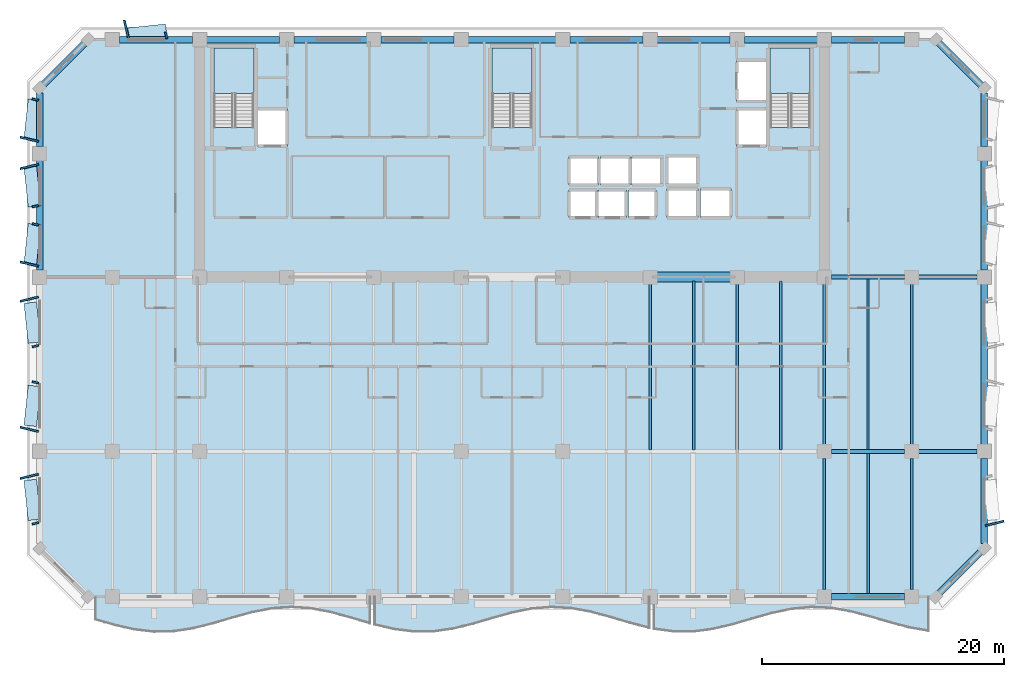
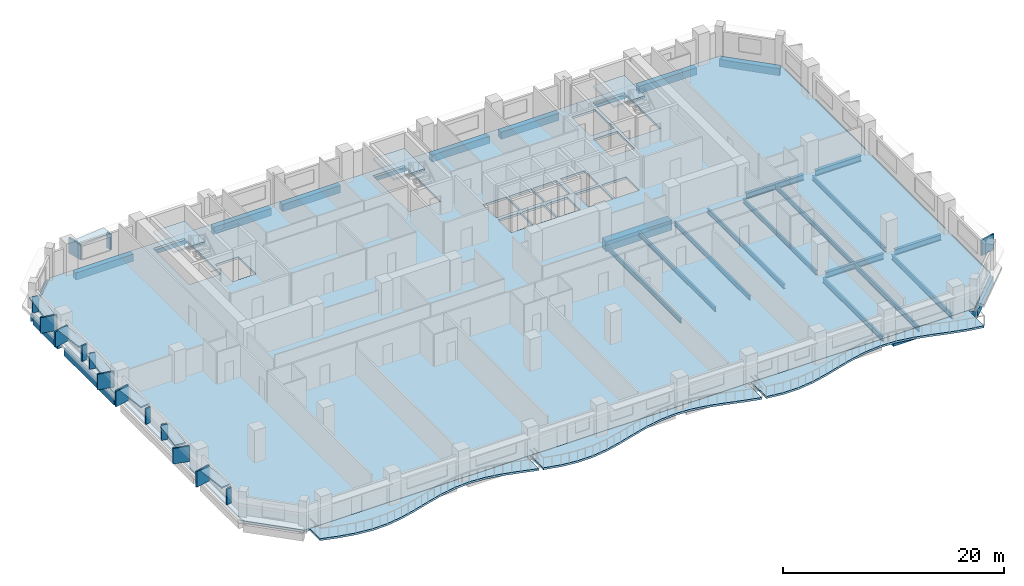
# One storey, part 2 of 14: 34 beams, 22 plates, 7 slabs, 3 elements without a shape of their own.
"""IFC4 building model written with IfcOpenShell, lengths in metres."""

import ifcopenshell
import ifcopenshell.guid

model = None  # the IFC model being written
_history = None  # IfcOwnerHistory: only IFC2X3 demands one
_inside = {}  # id of a spatial element -> (the spatial element, [elements in it])
_under = {}  # id of a project, library or spatial element -> (it, [spatial elements below it])
_declared = {}  # id of a project -> (the project, [libraries it declares])
_typed = {}  # id of a type object -> (the type object, [elements of that type])
_made_of = {}  # id of a material, layer set ... -> (it, [elements and type objects made of it])


def new_model(schema):
    """Start an empty IFC model of exactly this schema.

    Asked for "IFC4X3", IfcOpenShell would pick the latest addendum, in which some entities
    have other attributes; the version numbers below select the first issue.
    IFC2X3 requires an IfcOwnerHistory on every rooted entity: one is made here for all.
    """
    global model, _history
    if schema == "IFC4X3":
        model = ifcopenshell.file(schema_version=(4, 3, 0, 0))
    else:
        model = ifcopenshell.file(schema=schema)
    _inside.clear()
    _under.clear()
    _declared.clear()
    _typed.clear()
    _made_of.clear()
    _history = None
    if model.schema == "IFC2X3":
        org = make("IfcOrganization", Name="unknown")
        user = make(
            "IfcPersonAndOrganization",
            ThePerson=make("IfcPerson", FamilyName="unknown"),
            TheOrganization=org,
        )
        app = make(
            "IfcApplication",
            ApplicationDeveloper=org,
            Version="unknown",
            ApplicationFullName="unknown",
            ApplicationIdentifier="unknown",
        )
        _history = make(
            "IfcOwnerHistory",
            OwningUser=user,
            OwningApplication=app,
            ChangeAction="ADDED",
            CreationDate=0,
        )
    return model


def make(cls, **values):
    """One entity of the class cls with the attributes given. An attribute that is None is left unset."""
    return model.create_entity(
        cls, **{name: value for name, value in values.items() if value is not None}
    )


def rooted(cls, **values):
    """An entity with a GlobalId (a new one), such as an element, a storey or a relation."""
    return make(cls, GlobalId=ifcopenshell.guid.new(), OwnerHistory=_history, **values)


def si_unit(unit_type, name, prefix=None):
    """IfcSIUnit, for example si_unit("LENGTHUNIT", "METRE", prefix="MILLI")."""
    return make("IfcSIUnit", UnitType=unit_type, Prefix=prefix, Name=name)


def assignment(units):
    """IfcUnitAssignment: the units of a project."""
    return None if units is None else make("IfcUnitAssignment", Units=units)


def point(xyz):
    """IfcCartesianPoint."""
    return None if xyz is None else make("IfcCartesianPoint", Coordinates=xyz)


def direction(xyz):
    """IfcDirection."""
    return None if xyz is None else make("IfcDirection", DirectionRatios=xyz)


def frame(location, z_axis=None, x_axis=None):
    """IfcAxis2Placement3D, a coordinate frame: its origin and axes. An axis left out is left unset."""
    return make(
        "IfcAxis2Placement3D",
        Location=point(location),
        Axis=direction(z_axis),
        RefDirection=direction(x_axis),
    )


def frame_2d(location, x_axis=None):
    """IfcAxis2Placement2D, a coordinate frame in the plane: its origin and x axis."""
    return make(
        "IfcAxis2Placement2D", Location=point(location), RefDirection=direction(x_axis)
    )


def origin():
    """The frame at (0, 0, 0) with its axes left unset."""
    return frame((0.0, 0.0, 0.0))


def origin_2d():
    """The frame at (0, 0) in the plane with its x axis left unset."""
    return frame_2d((0.0, 0.0))


def place(relative_to, where):
    """IfcLocalPlacement: puts the frame where relative to a parent placement (None: the world)."""
    return make(
        "IfcLocalPlacement", PlacementRelTo=relative_to, RelativePlacement=where
    )


def context(
    kind, dimensions, precision=None, world=None, true_north=None, identifier=None
):
    """IfcGeometricRepresentationContext, for example the 3D "Model" context."""
    return make(
        "IfcGeometricRepresentationContext",
        ContextIdentifier=identifier,
        ContextType=kind,
        CoordinateSpaceDimension=dimensions,
        Precision=precision,
        WorldCoordinateSystem=world,
        TrueNorth=true_north,
    )


def subcontext(parent, identifier, kind, view, scale=None):
    """IfcGeometricRepresentationSubContext, for example "Body" below "Model"."""
    return make(
        "IfcGeometricRepresentationSubContext",
        ContextIdentifier=identifier,
        ContextType=kind,
        ParentContext=parent,
        TargetScale=scale,
        TargetView=view,
    )


def project(units=None, contexts=None):
    """IfcProject with its units and contexts."""
    return rooted(
        "IfcProject",
        Name="project",
        RepresentationContexts=contexts,
        UnitsInContext=assignment(units),
    )


def spatial(cls, under=None, at=None, **own):
    """A site, building, storey or space (cls), placed at a placement, below another one or the project."""
    s = rooted(cls, ObjectPlacement=at, **own)
    if under is not None:
        _under.setdefault(under.id(), (under, []))[1].append(s)
    return s


def polyline(points):
    """IfcPolyline through the points."""
    return make("IfcPolyline", Points=[point(p) for p in points])


def profile(cls, at=None, kind="AREA", **sizes):
    """A parametric profile (cls). Its sizes go by their IFC names, for example OverallWidth=200.0."""
    return make(cls, ProfileType=kind, Position=at, **sizes)


def rectangle(**sizes):
    """IfcRectangleProfileDef."""
    return profile("IfcRectangleProfileDef", **sizes)


def i_section(**sizes):
    """IfcIShapeProfileDef."""
    return profile("IfcIShapeProfileDef", **sizes)


def outline(outer, holes=None, kind="AREA"):
    """IfcArbitraryClosedProfileDef: a profile drawn as a closed curve; with holes, ...WithVoids."""
    if holes is None:
        return make("IfcArbitraryClosedProfileDef", ProfileType=kind, OuterCurve=outer)
    return make(
        "IfcArbitraryProfileDefWithVoids",
        ProfileType=kind,
        OuterCurve=outer,
        InnerCurves=holes,
    )


def extrude(swept, where, along, depth):
    """IfcExtrudedAreaSolid: the profile swept, set in the frame where, extruded along a direction by depth."""
    return make(
        "IfcExtrudedAreaSolid",
        SweptArea=swept,
        Position=where,
        ExtrudedDirection=direction(along),
        Depth=depth,
    )


def shape(context_of_items, identifier, shape_type, items):
    """IfcShapeRepresentation: the items that make up one representation, for example the "Body"."""
    return make(
        "IfcShapeRepresentation",
        ContextOfItems=context_of_items,
        RepresentationIdentifier=identifier,
        RepresentationType=shape_type,
        Items=items,
    )


def material(Name=None, Category=None):
    """IfcMaterial."""
    return make("IfcMaterial", Name=Name, Category=Category)


def layer(
    of_material, thickness, ventilated=None, Name=None, Category=None, Priority=None
):
    """IfcMaterialLayer: one layer of a wall or slab, of a material (None: an air gap)."""
    return make(
        "IfcMaterialLayer",
        Material=of_material,
        LayerThickness=thickness,
        IsVentilated=ventilated,
        Name=Name,
        Category=Category,
        Priority=Priority,
    )


def layer_set(layers, Name=None):
    """IfcMaterialLayerSet."""
    return make("IfcMaterialLayerSet", MaterialLayers=layers, LayerSetName=Name)


def material_profile(
    of_material, cross_section, Name=None, Category=None, Priority=None
):
    """IfcMaterialProfile: a cross section and its material."""
    return make(
        "IfcMaterialProfile",
        Name=Name,
        Material=of_material,
        Profile=cross_section,
        Priority=Priority,
        Category=Category,
    )


def profile_set(profiles, Name=None, composite=None):
    """IfcMaterialProfileSet."""
    return make(
        "IfcMaterialProfileSet",
        Name=Name,
        MaterialProfiles=profiles,
        CompositeProfile=composite,
    )


def made_of(thing, what):
    """Note that an element or type object is made of a material, layer set ...; save() writes the relation."""
    if what is not None:
        _made_of.setdefault(what.id(), (what, []))[1].append(thing)
    return thing


def type_object(cls, material=None, **own):
    """A type object (cls), such as IfcWallType, which elements share."""
    return made_of(rooted(cls, **own), material)


def element(
    cls,
    number,
    at=None,
    inside=None,
    cuts=None,
    type_object=None,
    material=None,
    context=None,
    identifier="Body",
    shape_type=None,
    held_by="IfcProductDefinitionShape",
    body=None,
    shapes=None,
    **own,
):
    """One element of the class cls, such as IfcWall. Its Tag is "e" and its number.

    at: its placement. inside: the storey or other place that contains it. cuts: it is an
    opening in that element (IfcRelVoidsElement). A single representation is given by context,
    identifier, shape_type and body (its items); several are given by shapes. held_by: the class
    of the entity that holds the representations. save() writes the other relations.
    """
    e = rooted(cls, Tag="e%d" % number, ObjectPlacement=at, **own)
    if body is not None:
        shapes = [shape(context, identifier, shape_type, body)]
    if shapes is not None:
        e.Representation = make(held_by, Representations=shapes)
    if inside is not None:
        _inside.setdefault(inside.id(), (inside, []))[1].append(e)
    if cuts is not None:
        rooted(
            "IfcRelVoidsElement", RelatingBuildingElement=cuts, RelatedOpeningElement=e
        )
    if type_object is not None:
        _typed.setdefault(type_object.id(), (type_object, []))[1].append(e)
    return made_of(e, material)


def aggregate(whole, parts):
    """IfcRelAggregates: a whole, such as a stair, and the parts it consists of."""
    return rooted("IfcRelAggregates", RelatingObject=whole, RelatedObjects=parts)


def save(model, path):
    """Write the relations noted so far, then the file.

    IfcRelAggregates (storeys below a building ...), IfcRelContainedInSpatialStructure (elements
    in a storey), IfcRelDefinesByType, IfcRelAssociatesMaterial and IfcRelDeclares: one each for
    every whole, place, type object, material and project.
    """
    for whole, parts in _under.values():
        aggregate(whole, parts)
    for where, things in _inside.values():
        rooted(
            "IfcRelContainedInSpatialStructure",
            RelatedElements=things,
            RelatingStructure=where,
        )
    for kind, things in _typed.values():
        rooted("IfcRelDefinesByType", RelatedObjects=things, RelatingType=kind)
    for what, things in _made_of.values():
        rooted("IfcRelAssociatesMaterial", RelatedObjects=things, RelatingMaterial=what)
    for by, libraries in _declared.values():
        rooted("IfcRelDeclares", RelatingContext=by, RelatedDefinitions=libraries)
    model.write(path)


model = new_model("IFC4")

# Units and contexts
model_context = context("Model", 3, precision=1e-05, world=origin(), true_north=direction((0.0, 1.0)))
body_context = subcontext(model_context, "Body", "Model", "MODEL_VIEW")
ifc_project = project(units=[si_unit("LENGTHUNIT", "METRE"), si_unit("AREAUNIT", "SQUARE_METRE"), si_unit("VOLUMEUNIT", "CUBIC_METRE"), si_unit("PLANEANGLEUNIT", "RADIAN"), si_unit("MASSUNIT", "GRAM", prefix="KILO")], contexts=[model_context])

# Site, building, storey
site_placement = place(None, origin())
site = spatial("IfcSite", under=ifc_project, at=site_placement, CompositionType="ELEMENT")
building_placement = place(site_placement, origin())
building = spatial("IfcBuilding", under=site, at=building_placement, Name="Kaelvorn Grand Hotel", CompositionType="ELEMENT")
storey_placement = place(building_placement, frame((0.0, 0.0, 197.75)))
storey = spatial("IfcBuildingStorey", under=building, at=storey_placement, Name="L48", CompositionType="ELEMENT", Elevation=197.75)

# Beams
ifc_material_1 = material(Name="Steel S355", Category="steel")
ifc_material_profile_1 = material_profile(ifc_material_1, i_section(OverallWidth=0.300048828125, OverallDepth=0.64990234375, WebThickness=0.01611328125, FlangeThickness=0.031005859375, FilletRadius=0.027099609375, at=origin_2d()), Name="HEB 650")
ifc_profile_set_1 = profile_set([ifc_material_profile_1], Name="Steel S355")
beam_type_1 = type_object("IfcBeamType", Name="BM-G-HEB650-S355", PredefinedType="BEAM", material=ifc_profile_set_1)
beam_1_placement = place(storey_placement, frame((68.385009765625, 15.0, -0.56494140625), z_axis=(1.0, 0.0, 0.0), x_axis=(0.0, 1.0, 0.0)))
element("IfcBeam", 1, at=beam_1_placement, inside=storey, type_object=beam_type_1, Name="L48 Primary Spine Steel Girder G-15 06", PredefinedType="BEAM", context=body_context, shape_type="SweptSolid", body=[
    extrude(i_section(OverallWidth=0.300048828125, OverallDepth=0.64990234375, WebThickness=0.01611328125, FlangeThickness=0.031005859375, FilletRadius=0.027099609375, at=origin_2d()), origin(), (0.0, 0.0, 1.0), 6.030029296875),
])
beam_2_placement = place(storey_placement, frame((75.5849609375, 15.0, -0.56494140625), z_axis=(1.0, 0.0, 0.0), x_axis=(0.0, 1.0, 0.0)))
element("IfcBeam", 2, at=beam_2_placement, inside=storey, type_object=beam_type_1, Name="L48 Primary Spine Steel Girder G-15 07", PredefinedType="BEAM", context=body_context, shape_type="SweptSolid", body=[
    extrude(i_section(OverallWidth=0.300048828125, OverallDepth=0.64990234375, WebThickness=0.01611328125, FlangeThickness=0.031005859375, FilletRadius=0.027099609375, at=origin_2d()), origin(), (0.0, 0.0, 1.0), 4.830078125),
])
beam_3_placement = place(storey_placement, frame((68.385009765625, 29.39990234375, -0.56494140625), z_axis=(1.0, 0.0, 0.0), x_axis=(0.0, 1.0, 0.0)))
element("IfcBeam", 3, at=beam_3_placement, inside=storey, type_object=beam_type_1, Name="L48 East Core Wing Steel Girder G-29E 01", PredefinedType="BEAM", context=body_context, shape_type="SweptSolid", body=[
    extrude(i_section(OverallWidth=0.300048828125, OverallDepth=0.64990234375, WebThickness=0.01611328125, FlangeThickness=0.031005859375, FilletRadius=0.027099609375, at=origin_2d()), origin(), (0.0, 0.0, 1.0), 6.030029296875),
])
beam_4_placement = place(storey_placement, frame((75.5849609375, 29.39990234375, -0.56494140625), z_axis=(1.0, 0.0, 0.0), x_axis=(0.0, 1.0, 0.0)))
element("IfcBeam", 4, at=beam_4_placement, inside=storey, type_object=beam_type_1, Name="L48 East Core Wing Steel Girder G-29E 02", PredefinedType="BEAM", context=body_context, shape_type="SweptSolid", body=[
    extrude(i_section(OverallWidth=0.300048828125, OverallDepth=0.64990234375, WebThickness=0.01611328125, FlangeThickness=0.031005859375, FilletRadius=0.027099609375, at=origin_2d()), origin(), (0.0, 0.0, 1.0), 4.830078125),
])
ifc_material_profile_2 = material_profile(ifc_material_1, i_section(OverallWidth=0.199951171875, OverallDepth=0.5, WebThickness=0.01025390625, FlangeThickness=0.01611328125, FilletRadius=0.02099609375, at=origin_2d()), Name="IPE 500")
ifc_profile_set_2 = profile_set([ifc_material_profile_2], Name="Steel S355")
beam_type_2 = type_object("IfcBeamType", Name="BM-J-IPE500-S355", PredefinedType="JOIST", material=ifc_profile_set_2)
beam_5_placement = place(storey_placement, frame((53.39990234375, 15.135009765625, -0.489990234375), z_axis=(0.0, 1.0, 0.0), x_axis=(-1.0, 0.0, 0.0)))
element("IfcBeam", 5, at=beam_5_placement, inside=storey, type_object=beam_type_2, Name="L48 Composite Floor Joist JM-15", PredefinedType="JOIST", context=body_context, shape_type="SweptSolid", body=[
    extrude(i_section(OverallWidth=0.199951171875, OverallDepth=0.5, WebThickness=0.01025390625, FlangeThickness=0.01611328125, FilletRadius=0.02099609375, at=origin_2d()), origin(), (0.0, 0.0, 1.0), 13.679931640625),
])
beam_6_placement = place(storey_placement, frame((57.0, 15.135009765625, -0.489990234375), z_axis=(0.0, 1.0, 0.0), x_axis=(-1.0, 0.0, 0.0)))
element("IfcBeam", 6, at=beam_6_placement, inside=storey, type_object=beam_type_2, Name="L48 Composite Floor Joist JM-16", PredefinedType="JOIST", context=body_context, shape_type="SweptSolid", body=[
    extrude(i_section(OverallWidth=0.199951171875, OverallDepth=0.5, WebThickness=0.01025390625, FlangeThickness=0.01611328125, FilletRadius=0.02099609375, at=origin_2d()), origin(), (0.0, 0.0, 1.0), 13.925048828125),
])
beam_7_placement = place(storey_placement, frame((60.60009765625, 15.135009765625, -0.489990234375), z_axis=(0.0, 1.0, 0.0), x_axis=(-1.0, 0.0, 0.0)))
element("IfcBeam", 7, at=beam_7_placement, inside=storey, type_object=beam_type_2, Name="L48 Composite Floor Joist JM-17", PredefinedType="JOIST", context=body_context, shape_type="SweptSolid", body=[
    extrude(i_section(OverallWidth=0.199951171875, OverallDepth=0.5, WebThickness=0.01025390625, FlangeThickness=0.01611328125, FilletRadius=0.02099609375, at=origin_2d()), origin(), (0.0, 0.0, 1.0), 13.679931640625),
])
beam_8_placement = place(storey_placement, frame((64.199951171875, 15.135009765625, -0.489990234375), z_axis=(0.0, 1.0, 0.0), x_axis=(-1.0, 0.0, 0.0)))
element("IfcBeam", 8, at=beam_8_placement, inside=storey, type_object=beam_type_2, Name="L48 Composite Floor Joist JM-18", PredefinedType="JOIST", context=body_context, shape_type="SweptSolid", body=[
    extrude(i_section(OverallWidth=0.199951171875, OverallDepth=0.5, WebThickness=0.01025390625, FlangeThickness=0.01611328125, FilletRadius=0.02099609375, at=origin_2d()), origin(), (0.0, 0.0, 1.0), 13.925048828125),
])
beam_9_placement = place(storey_placement, frame((67.800048828125, 15.5849609375, -0.489990234375), z_axis=(0.0, 1.0, 0.0), x_axis=(-1.0, 0.0, 0.0)))
element("IfcBeam", 9, at=beam_9_placement, inside=storey, type_object=beam_type_2, Name="L48 Composite Floor Joist JM-19", PredefinedType="JOIST", context=body_context, shape_type="SweptSolid", body=[
    extrude(i_section(OverallWidth=0.199951171875, OverallDepth=0.5, WebThickness=0.01025390625, FlangeThickness=0.01611328125, FilletRadius=0.02099609375, at=origin_2d()), origin(), (0.0, 0.0, 1.0), 13.22998046875),
])
beam_10_placement = place(storey_placement, frame((71.39990234375, 15.135009765625, -0.489990234375), z_axis=(0.0, 1.0, 0.0), x_axis=(-1.0, 0.0, 0.0)))
element("IfcBeam", 10, at=beam_10_placement, inside=storey, type_object=beam_type_2, Name="L48 Composite Floor Joist JM-20", PredefinedType="JOIST", context=body_context, shape_type="SweptSolid", body=[
    extrude(i_section(OverallWidth=0.199951171875, OverallDepth=0.5, WebThickness=0.01025390625, FlangeThickness=0.01611328125, FilletRadius=0.02099609375, at=origin_2d()), origin(), (0.0, 0.0, 1.0), 14.1298828125),
])
beam_11_placement = place(storey_placement, frame((75.0, 15.5849609375, -0.489990234375), z_axis=(0.0, 1.0, 0.0), x_axis=(-1.0, 0.0, 0.0)))
element("IfcBeam", 11, at=beam_11_placement, inside=storey, type_object=beam_type_2, Name="L48 Composite Floor Joist JM-21", PredefinedType="JOIST", context=body_context, shape_type="SweptSolid", body=[
    extrude(i_section(OverallWidth=0.199951171875, OverallDepth=0.5, WebThickness=0.01025390625, FlangeThickness=0.01611328125, FilletRadius=0.02099609375, at=origin_2d()), origin(), (0.0, 0.0, 1.0), 13.22998046875),
])
ifc_material_profile_3 = material_profile(ifc_material_1, i_section(OverallWidth=0.2099609375, OverallDepth=0.550048828125, WebThickness=0.010986328125, FlangeThickness=0.01708984375, FilletRadius=0.02392578125, at=origin_2d()), Name="IPE 550")
ifc_profile_set_3 = profile_set([ifc_material_profile_3], Name="Steel S355")
beam_type_3 = type_object("IfcBeamType", Name="BM-J-IPE550-S355", PredefinedType="JOIST", material=ifc_profile_set_3)
beam_12_placement = place(storey_placement, frame((67.800048828125, 3.5849609375, -0.514892578125), z_axis=(0.0, 1.0, 0.0), x_axis=(-1.0, 0.0, 0.0)))
element("IfcBeam", 12, at=beam_12_placement, inside=storey, type_object=beam_type_3, Name="L48 Composite Floor Joist JS-19", PredefinedType="JOIST", context=body_context, shape_type="SweptSolid", body=[
    extrude(i_section(OverallWidth=0.2099609375, OverallDepth=0.550048828125, WebThickness=0.010986328125, FlangeThickness=0.01708984375, FilletRadius=0.02392578125, at=origin_2d()), origin(), (0.0, 0.0, 1.0), 10.830078125),
])
beam_13_placement = place(storey_placement, frame((71.39990234375, 3.260009765625, -0.514892578125), z_axis=(0.0, 1.0, 0.0), x_axis=(-1.0, 0.0, 0.0)))
element("IfcBeam", 13, at=beam_13_placement, inside=storey, type_object=beam_type_3, Name="L48 Composite Floor Joist JS-20", PredefinedType="JOIST", context=body_context, shape_type="SweptSolid", body=[
    extrude(i_section(OverallWidth=0.2099609375, OverallDepth=0.550048828125, WebThickness=0.010986328125, FlangeThickness=0.01708984375, FilletRadius=0.02392578125, at=origin_2d()), origin(), (0.0, 0.0, 1.0), 11.60498046875),
])
beam_14_placement = place(storey_placement, frame((75.0, 3.5849609375, -0.514892578125), z_axis=(0.0, 1.0, 0.0), x_axis=(-1.0, 0.0, 0.0)))
element("IfcBeam", 14, at=beam_14_placement, inside=storey, type_object=beam_type_3, Name="L48 Composite Floor Joist JS-21", PredefinedType="JOIST", context=body_context, shape_type="SweptSolid", body=[
    extrude(i_section(OverallWidth=0.2099609375, OverallDepth=0.550048828125, WebThickness=0.010986328125, FlangeThickness=0.01708984375, FilletRadius=0.02392578125, at=origin_2d()), origin(), (0.0, 0.0, 1.0), 10.830078125),
])
ifc_material_2 = material(Name="Concrete C60/75", Category="concrete")
ifc_material_profile_4 = material_profile(ifc_material_2, rectangle(XDim=0.800048828125, YDim=1.10009765625, at=origin_2d()), Name="RC LINTEL 800x1100")
ifc_profile_set_4 = profile_set([ifc_material_profile_4], Name="Concrete C60/75")
beam_type_4 = type_object("IfcBeamType", Name="BM-LIN-800x1100-C60", PredefinedType="LINTEL", material=ifc_profile_set_4)
beam_15_placement = place(storey_placement, frame((53.580078125, 29.39990234375, -0.7900390625), z_axis=(1.0, 0.0, 0.0), x_axis=(0.0, 1.0, 0.0)))
element("IfcBeam", 15, at=beam_15_placement, inside=storey, type_object=beam_type_4, Name="L48 Rear-Core Coupling Lintel Beam CB1-03", PredefinedType="LINTEL", context=body_context, shape_type="SweptSolid", body=[
    extrude(rectangle(XDim=0.800048828125, YDim=1.10009765625, at=origin_2d()), origin(), (0.0, 0.0, 1.0), 6.83984375),
])
ifc_material_3 = material(Name="Concrete C50/60", Category="concrete")
ifc_material_profile_5 = material_profile(ifc_material_3, rectangle(XDim=0.550048828125, YDim=0.800048828125, at=origin_2d()), Name="RC SPANDREL 550x800")
ifc_profile_set_5 = profile_set([ifc_material_profile_5], Name="Concrete C50/60")
beam_type_5 = type_object("IfcBeamType", Name="BM-SP-550x800-C50", PredefinedType="SPANDREL", material=ifc_profile_set_5)
for number, where, z_axis, x_axis, name in (
    (16, (68.385009765625, 3.0, -0.639892578125), (1.0, 0.0, 0.0), (0.0, 1.0, 0.0), "L48 South Perimeter Spandrel 10"),
    (17, (9.5849609375, 49.0, -0.639892578125), (1.0, 0.0, 0.0), (0.0, 1.0, 0.0), "L48 North Perimeter Spandrel 02"),
    (18, (16.784912109375, 49.0, -0.639892578125), (1.0, 0.0, 0.0), (0.0, 1.0, 0.0), "L48 North Perimeter Spandrel 03"),
):
    element("IfcBeam", number, at=place(storey_placement, frame(where, z_axis=z_axis, x_axis=x_axis)), inside=storey, type_object=beam_type_5, Name=name, PredefinedType="SPANDREL", context=body_context, shape_type="SweptSolid", body=[
        extrude(rectangle(XDim=0.550048828125, YDim=0.800048828125, at=origin_2d()), origin(), (0.0, 0.0, 1.0), 6.030029296875),
    ])
beam_16_placement = place(storey_placement, frame((23.985107421875, 49.0, -0.639892578125), z_axis=(1.0, 0.0, 0.0), x_axis=(0.0, 1.0, 0.0)))
element("IfcBeam", 19, at=beam_16_placement, inside=storey, type_object=beam_type_5, Name="L48 North Perimeter Spandrel 04", PredefinedType="SPANDREL", context=body_context, shape_type="SweptSolid", body=[
    extrude(rectangle(XDim=0.550048828125, YDim=0.800048828125, at=origin_2d()), origin(), (0.0, 0.0, 1.0), 6.02978515625),
])
beam_17_placement = place(storey_placement, frame((31.18505859375, 49.0, -0.639892578125), z_axis=(1.0, 0.0, 0.0), x_axis=(0.0, 1.0, 0.0)))
element("IfcBeam", 20, at=beam_17_placement, inside=storey, type_object=beam_type_5, Name="L48 North Perimeter Spandrel 05", PredefinedType="SPANDREL", context=body_context, shape_type="SweptSolid", body=[
    extrude(rectangle(XDim=0.550048828125, YDim=0.800048828125, at=origin_2d()), origin(), (0.0, 0.0, 1.0), 6.030029296875),
])
beam_18_placement = place(storey_placement, frame((38.385009765625, 49.0, -0.639892578125), z_axis=(1.0, 0.0, 0.0), x_axis=(0.0, 1.0, 0.0)))
element("IfcBeam", 21, at=beam_18_placement, inside=storey, type_object=beam_type_5, Name="L48 North Perimeter Spandrel 06", PredefinedType="SPANDREL", context=body_context, shape_type="SweptSolid", body=[
    extrude(rectangle(XDim=0.550048828125, YDim=0.800048828125, at=origin_2d()), origin(), (0.0, 0.0, 1.0), 7.22998046875),
])
beam_19_placement = place(storey_placement, frame((46.784912109375, 49.0, -0.639892578125), z_axis=(1.0, 0.0, 0.0), x_axis=(0.0, 1.0, 0.0)))
element("IfcBeam", 22, at=beam_19_placement, inside=storey, type_object=beam_type_5, Name="L48 North Perimeter Spandrel 07", PredefinedType="SPANDREL", context=body_context, shape_type="SweptSolid", body=[
    extrude(rectangle(XDim=0.550048828125, YDim=0.800048828125, at=origin_2d()), origin(), (0.0, 0.0, 1.0), 6.030029296875),
])
beam_20_placement = place(storey_placement, frame((53.985107421875, 49.0, -0.639892578125), z_axis=(1.0, 0.0, 0.0), x_axis=(0.0, 1.0, 0.0)))
element("IfcBeam", 23, at=beam_20_placement, inside=storey, type_object=beam_type_5, Name="L48 North Perimeter Spandrel 08", PredefinedType="SPANDREL", context=body_context, shape_type="SweptSolid", body=[
    extrude(rectangle(XDim=0.550048828125, YDim=0.800048828125, at=origin_2d()), origin(), (0.0, 0.0, 1.0), 6.02978515625),
])
for number, where, z_axis, x_axis, name in (
    (24, (61.18505859375, 49.0, -0.639892578125), (1.0, 0.0, 0.0), (0.0, 1.0, 0.0), "L48 North Perimeter Spandrel 09"),
    (25, (68.385009765625, 49.0, -0.639892578125), (1.0, 0.0, 0.0), (0.0, 1.0, 0.0), "L48 North Perimeter Spandrel 10"),
):
    element("IfcBeam", number, at=place(storey_placement, frame(where, z_axis=z_axis, x_axis=x_axis)), inside=storey, type_object=beam_type_5, Name=name, PredefinedType="SPANDREL", context=body_context, shape_type="SweptSolid", body=[
        extrude(rectangle(XDim=0.550048828125, YDim=0.800048828125, at=origin_2d()), origin(), (0.0, 0.0, 1.0), 6.030029296875),
    ])
beam_21_placement = place(storey_placement, frame((3.0, 29.985107421875, -0.639892578125), z_axis=(0.0, 1.0, 0.0), x_axis=(-1.0, 0.0, 0.0)))
element("IfcBeam", 26, at=beam_21_placement, inside=storey, type_object=beam_type_5, Name="L48 West Perimeter Spandrel 03", PredefinedType="SPANDREL", context=body_context, shape_type="SweptSolid", body=[
    extrude(rectangle(XDim=0.550048828125, YDim=0.800048828125, at=origin_2d()), origin(), (0.0, 0.0, 1.0), 9.02978515625),
])
beam_22_placement = place(storey_placement, frame((3.0, 40.18505859375, -0.639892578125), z_axis=(0.0, 1.0, 0.0), x_axis=(-1.0, 0.0, 0.0)))
element("IfcBeam", 27, at=beam_22_placement, inside=storey, type_object=beam_type_5, Name="L48 West Perimeter Spandrel 04", PredefinedType="SPANDREL", context=body_context, shape_type="SweptSolid", body=[
    extrude(rectangle(XDim=0.550048828125, YDim=0.800048828125, at=origin_2d()), origin(), (0.0, 0.0, 1.0), 4.409912109375),
])
beam_23_placement = place(storey_placement, frame((81.0, 7.405029296875, -0.639892578125), z_axis=(0.0, 1.0, 0.0), x_axis=(-1.0, 0.0, 0.0)))
element("IfcBeam", 28, at=beam_23_placement, inside=storey, type_object=beam_type_5, Name="L48 East Perimeter Spandrel 01", PredefinedType="SPANDREL", context=body_context, shape_type="SweptSolid", body=[
    extrude(rectangle(XDim=0.550048828125, YDim=0.800048828125, at=origin_2d()), origin(), (0.0, 0.0, 1.0), 7.010009765625),
])
beam_24_placement = place(storey_placement, frame((81.0, 15.5849609375, -0.639892578125), z_axis=(0.0, 1.0, 0.0), x_axis=(-1.0, 0.0, 0.0)))
element("IfcBeam", 29, at=beam_24_placement, inside=storey, type_object=beam_type_5, Name="L48 East Perimeter Spandrel 02", PredefinedType="SPANDREL", context=body_context, shape_type="SweptSolid", body=[
    extrude(rectangle(XDim=0.550048828125, YDim=0.800048828125, at=origin_2d()), origin(), (0.0, 0.0, 1.0), 13.22998046875),
])
beam_25_placement = place(storey_placement, frame((81.0, 29.985107421875, -0.639892578125), z_axis=(0.0, 1.0, 0.0), x_axis=(-1.0, 0.0, 0.0)))
element("IfcBeam", 30, at=beam_25_placement, inside=storey, type_object=beam_type_5, Name="L48 East Perimeter Spandrel 03", PredefinedType="SPANDREL", context=body_context, shape_type="SweptSolid", body=[
    extrude(rectangle(XDim=0.550048828125, YDim=0.800048828125, at=origin_2d()), origin(), (0.0, 0.0, 1.0), 9.02978515625),
])
beam_26_placement = place(storey_placement, frame((81.0, 40.18505859375, -0.639892578125), z_axis=(0.0, 1.0, 0.0), x_axis=(-1.0, 0.0, 0.0)))
element("IfcBeam", 31, at=beam_26_placement, inside=storey, type_object=beam_type_5, Name="L48 East Perimeter Spandrel 04", PredefinedType="SPANDREL", context=body_context, shape_type="SweptSolid", body=[
    extrude(rectangle(XDim=0.550048828125, YDim=0.800048828125, at=origin_2d()), origin(), (0.0, 0.0, 1.0), 4.409912109375),
])
for number, where, z_axis, x_axis, name in (
    (32, (77.0, 3.0, -0.639892578125), (0.707106781187, 0.707106781187, 0.0), (-0.707106781187, 0.707106781187, 0.0), "L48 Chamfer Spandrel Beam 1"),
    (33, (81.0, 45.0, -0.639892578125), (-0.707106781187, 0.707106781187, 0.0), (-0.707106781187, -0.707106781187, 0.0), "L48 Chamfer Spandrel Beam 2"),
    (34, (7.0, 49.0, -0.639892578125), (-0.707106781187, -0.707106781187, 0.0), (0.707106781187, -0.707106781187, 0.0), "L48 Chamfer Spandrel Beam 3"),
):
    element("IfcBeam", number, at=place(storey_placement, frame(where, z_axis=z_axis, x_axis=x_axis)), inside=storey, type_object=beam_type_5, Name=name, PredefinedType="SPANDREL", context=body_context, shape_type="SweptSolid", body=[
        extrude(rectangle(XDim=0.550048828125, YDim=0.800048828125, at=origin_2d()), origin(), (0.0, 0.0, 1.0), 5.65673828125),
    ])

# Plates
ifc_material_4 = material(Name="Precast concrete C45/55", Category="concrete")
ifc_layer_1 = layer(ifc_material_4, 0.159912109375)
ifc_layer_set_1 = layer_set([ifc_layer_1], Name="Precast concrete C45/55")
plate_type_1 = type_object("IfcPlateType", Name="PL-FRAME-DEEP-1550", PredefinedType="USERDEFINED", material=ifc_layer_set_1)
for number, where, z_axis, x_axis, name in (
    (35, (81.85498046875, 9.06005859375, 0.81494140625), (0.0, 0.0, 1.0), (-0.233445363856, 0.972369920398, 0.0), "L48 Tilted Precast Window Frame Fin L-E01"),
    (36, (2.14501953125, 12.93994140625, 0.81494140625), (0.0, 0.0, 1.0), (-0.233445363856, 0.972369920398, 0.0), "L48 Tilted Precast Window Frame Fin R-W01"),
    (37, (2.14501953125, 16.824951171875, 0.81494140625), (0.0, 0.0, 1.0), (0.233445363856, 0.972369920398, 0.0), "L48 Tilted Precast Window Frame Fin L-W02"),
    (38, (2.14501953125, 27.574951171875, 0.81494140625), (0.0, 0.0, 1.0), (-0.233445363856, 0.972369920398, 0.0), "L48 Tilted Precast Window Frame Fin R-W03"),
    (39, (2.14501953125, 30.47509765625, 0.740234375), (0.0, 0.0, 1.0), (0.233445363856, 0.972369920398, 0.0), "L48 Tilted Precast Window Frame Fin L-W04"),
    (40, (2.14501953125, 38.52490234375, 0.740234375), (0.0, 0.0, 1.0), (-0.233445363856, 0.972369920398, 0.0), "L48 Tilted Precast Window Frame Fin R-W05"),
    (41, (2.14501953125, 40.77490234375, 0.740234375), (0.0, 0.0, 1.0), (0.233445363856, 0.972369920398, 0.0), "L48 Tilted Precast Window Frame Fin L-W06"),
    (42, (10.159912109375, 49.85498046875, 0.740234375), (0.0, 0.0, 1.0), (0.972369920398, 0.233445363856, 0.0), "L48 Tilted Precast Window Frame Fin L-N01"),
):
    element("IfcPlate", number, at=place(storey_placement, frame(where, z_axis=z_axis, x_axis=x_axis)), inside=storey, type_object=plate_type_1, Name=name, ObjectType="FLANGE_PLATE", PredefinedType="USERDEFINED", context=body_context, shape_type="SweptSolid", body=[
        extrude(rectangle(XDim=0.159912109375, YDim=1.550048828125, at=origin_2d()), origin(), (0.0, 0.0, 1.0), 1.719970703125),
    ])
ifc_layer_2 = layer(ifc_material_4, 0.159912109375)
ifc_layer_set_2 = layer_set([ifc_layer_2], Name="Precast concrete C45/55")
plate_type_2 = type_object("IfcPlateType", Name="PL-FRAME-HEAD-1050", PredefinedType="USERDEFINED", material=ifc_layer_set_2)
for number, where, z_axis, x_axis, name in (
    (43, (2.39501953125, 11.0, 2.5), (0.0, 0.0, 1.0), (-0.105830199459, 0.994384215926, 0.0), "L48 Precast Window Frame Head Hood H-W01"),
    (44, (2.39501953125, 18.764892578125, 2.5), (0.0, 0.0, 1.0), (0.105830199459, 0.994384215926, 0.0), "L48 Precast Window Frame Head Hood H-W02"),
    (45, (2.39501953125, 25.635009765625, 2.5), (0.0, 0.0, 1.0), (-0.105830199459, 0.994384215926, 0.0), "L48 Precast Window Frame Head Hood H-W03"),
    (46, (2.39501953125, 32.114990234375, 2.35009765625), (0.0, 0.0, 1.0), (0.105830199459, 0.994384215926, 0.0), "L48 Precast Window Frame Head Hood H-W04"),
    (47, (2.39501953125, 36.885009765625, 2.35009765625), (0.0, 0.0, 1.0), (-0.105830199459, 0.994384215926, 0.0), "L48 Precast Window Frame Head Hood H-W05"),
    (48, (2.39501953125, 42.4150390625, 2.35009765625), (0.0, 0.0, 1.0), (0.105830199459, 0.994384215926, 0.0), "L48 Precast Window Frame Head Hood H-W06"),
    (49, (11.800048828125, 49.60498046875, 2.35009765625), (0.0, 0.0, 1.0), (0.994384215926, 0.105830199459, 0.0), "L48 Precast Window Frame Head Hood H-N01"),
):
    element("IfcPlate", number, at=place(storey_placement, frame(where, z_axis=z_axis, x_axis=x_axis)), inside=storey, type_object=plate_type_2, Name=name, ObjectType="FLANGE_PLATE", PredefinedType="USERDEFINED", context=body_context, shape_type="SweptSolid", body=[
        extrude(rectangle(XDim=3.320068359375, YDim=1.050048828125, at=origin_2d()), origin(), (0.0, 0.0, 1.0), 0.159912109375),
    ])
ifc_layer_3 = layer(ifc_material_4, 0.159912109375)
ifc_layer_set_3 = layer_set([ifc_layer_3], Name="Precast concrete C45/55")
plate_type_3 = type_object("IfcPlateType", Name="PL-FRAME-SHAL-550", PredefinedType="USERDEFINED", material=ifc_layer_set_3)
for number, where, z_axis, x_axis, name in (
    (50, (2.64501953125, 9.06005859375, 0.81494140625), (0.0, 0.0, 1.0), (-0.233445363856, 0.972369920398, 0.0), "L48 Tilted Precast Window Frame Fin L-W01"),
    (51, (2.64501953125, 20.705078125, 0.81494140625), (0.0, 0.0, 1.0), (0.233445363856, 0.972369920398, 0.0), "L48 Tilted Precast Window Frame Fin R-W02"),
    (52, (2.64501953125, 23.695068359375, 0.81494140625), (0.0, 0.0, 1.0), (-0.233445363856, 0.972369920398, 0.0), "L48 Tilted Precast Window Frame Fin L-W03"),
    (53, (2.64501953125, 33.7548828125, 0.740234375), (0.0, 0.0, 1.0), (0.233445363856, 0.972369920398, 0.0), "L48 Tilted Precast Window Frame Fin R-W04"),
    (54, (2.64501953125, 35.2451171875, 0.740234375), (0.0, 0.0, 1.0), (-0.233445363856, 0.972369920398, 0.0), "L48 Tilted Precast Window Frame Fin L-W05"),
    (55, (2.64501953125, 44.054931640625, 0.740234375), (0.0, 0.0, 1.0), (0.233445363856, 0.972369920398, 0.0), "L48 Tilted Precast Window Frame Fin R-W06"),
    (56, (13.43994140625, 49.35498046875, 0.740234375), (0.0, 0.0, 1.0), (0.972369920398, 0.233445363856, 0.0), "L48 Tilted Precast Window Frame Fin R-N01"),
):
    element("IfcPlate", number, at=place(storey_placement, frame(where, z_axis=z_axis, x_axis=x_axis)), inside=storey, type_object=plate_type_3, Name=name, ObjectType="FLANGE_PLATE", PredefinedType="USERDEFINED", context=body_context, shape_type="SweptSolid", body=[
        extrude(rectangle(XDim=0.159912109375, YDim=0.550048828125, at=origin_2d()), origin(), (0.0, 0.0, 1.0), 1.719970703125),
    ])

# Slabs
ifc_material_5 = material(Name="Concrete C40/50", Category="concrete")
ifc_layer_4 = layer(ifc_material_5, 0.219970703125)
ifc_layer_set_4 = layer_set([ifc_layer_4], Name="Concrete C40/50")
slab_type_1 = type_object("IfcSlabType", Name="SLB-BALC-220-C40", PredefinedType="FLOOR", material=ifc_layer_set_4)
slab_1_placement = place(storey_placement, frame((0.0, 0.0, -0.219970703125)))
element("IfcSlab", 57, at=slab_1_placement, inside=storey, type_object=slab_type_1, Name="L48 Scalloped Wave Balcony Slab 1", PredefinedType="FLOOR", context=body_context, shape_type="SweptSolid", body=[
    extrude(outline(polyline([(7.60009765625, 1.125), (9.218994140625, 0.659912109375), (10.838134765625, 0.296142578125), (12.45703125, 0.11279296875), (14.076171875, 0.14990234375), (15.6953125, 0.399169921875), (17.314208984375, 0.806640625), (18.933349609375, 1.283447265625), (20.552490234375, 1.7255859375), (22.17138671875, 2.037109375), (23.79052734375, 2.14990234375), (25.409423828125, 2.039794921875), (27.028564453125, 1.730224609375), (28.647705078125, 1.2890625), (30.2666015625, 0.81201171875), (30.2666015625, 3.0), (7.60009765625, 3.0), (7.60009765625, 1.125)])), origin(), (0.0, 0.0, 1.0), 0.219970703125),
])
slab_2_placement = place(storey_placement, frame((0.0, 0.0, -0.219970703125)))
element("IfcSlab", 58, at=slab_2_placement, inside=storey, type_object=slab_type_1, Name="L48 Scalloped Wave Balcony Slab 2", PredefinedType="FLOOR", context=body_context, shape_type="SweptSolid", body=[
    extrude(outline(polyline([(30.666748046875, 0.700927734375), (32.28564453125, 0.32373046875), (33.90478515625, 0.120849609375), (35.52392578125, 0.13671875), (37.142822265625, 0.367919921875), (38.761962890625, 0.763671875), (40.380859375, 1.23828125), (42.0, 1.688232421875), (43.619140625, 2.015380859375), (45.238037109375, 2.14892578125), (46.857177734375, 2.059326171875), (48.47607421875, 1.766357421875), (50.09521484375, 1.333740234375), (51.71435546875, 0.855712890625), (53.333251953125, 0.436279296875), (53.333251953125, 3.0), (30.666748046875, 3.0), (30.666748046875, 0.700927734375)])), origin(), (0.0, 0.0, 1.0), 0.219970703125),
])
slab_3_placement = place(storey_placement, frame((0.0, 0.0, -0.219970703125)))
element("IfcSlab", 59, at=slab_3_placement, inside=storey, type_object=slab_type_1, Name="L48 Scalloped Wave Balcony Slab 3", PredefinedType="FLOOR", context=body_context, shape_type="SweptSolid", body=[
    extrude(outline(polyline([(53.7333984375, 0.352783203125), (55.352294921875, 0.131103515625), (56.971435546875, 0.125732421875), (58.590576171875, 0.337890625), (60.20947265625, 0.7216796875), (61.82861328125, 1.193115234375), (63.447509765625, 1.649658203125), (65.066650390625, 1.9921875), (66.685791015625, 2.145751953125), (68.3046875, 2.0771484375), (69.923828125, 1.801025390625), (71.54296875, 1.3779296875), (73.161865234375, 0.899658203125), (74.781005859375, 0.470458984375), (76.39990234375, 0.183837890625), (76.39990234375, 3.0), (53.7333984375, 3.0), (53.7333984375, 0.352783203125)])), origin(), (0.0, 0.0, 1.0), 0.219970703125),
])
ifc_layer_5 = layer(ifc_material_5, 0.239990234375)
ifc_layer_set_5 = layer_set([ifc_layer_5], Name="Concrete C40/50")
slab_type_2 = type_object("IfcSlabType", Name="SLB-FLR-240-C40", PredefinedType="FLOOR", material=ifc_layer_set_5)
slab_4_placement = place(storey_placement, frame((0.0, 0.0, -0.239990234375)))
element("IfcSlab", 60, at=slab_4_placement, inside=storey, type_object=slab_type_2, Name="L48 Indoor Suspended Floor Slab", PredefinedType="FLOOR", context=body_context, shape_type="SweptSolid", body=[
    extrude(outline(polyline([(7.0, 3.0), (77.0, 3.0), (81.0, 7.0), (81.0, 45.0), (77.0, 49.0), (7.0, 49.0), (3.0, 45.0), (3.0, 7.0), (7.0, 3.0)]), holes=[polyline([(17.39990234375, 41.760009765625), (17.39990234375, 48.300048828125), (20.679931640625, 48.300048828125), (20.679931640625, 41.760009765625), (17.39990234375, 41.760009765625)]), polyline([(40.360107421875, 41.760009765625), (40.360107421875, 48.300048828125), (43.639892578125, 48.300048828125), (43.639892578125, 41.760009765625), (40.360107421875, 41.760009765625)]), polyline([(63.320068359375, 41.760009765625), (63.320068359375, 48.300048828125), (66.60009765625, 48.300048828125), (66.60009765625, 41.760009765625), (63.320068359375, 41.760009765625)]), polyline([(46.699951171875, 34.300048828125), (46.699951171875, 36.60009765625), (49.0, 36.60009765625), (49.0, 34.300048828125), (46.699951171875, 34.300048828125)]), polyline([(49.14990234375, 34.300048828125), (49.14990234375, 36.60009765625), (51.449951171875, 36.60009765625), (51.449951171875, 34.300048828125), (49.14990234375, 34.300048828125)]), polyline([(51.60009765625, 34.300048828125), (51.60009765625, 36.60009765625), (53.89990234375, 36.60009765625), (53.89990234375, 34.300048828125), (51.60009765625, 34.300048828125)]), polyline([(46.699951171875, 37.0), (46.699951171875, 39.35009765625), (49.14990234375, 39.35009765625), (49.14990234375, 37.0), (46.699951171875, 37.0)]), polyline([(49.300048828125, 37.0), (49.300048828125, 39.35009765625), (51.75, 39.35009765625), (51.75, 37.0), (49.300048828125, 37.0)]), polyline([(51.89990234375, 37.0), (51.89990234375, 39.35009765625), (54.35009765625, 39.35009765625), (54.35009765625, 37.0), (51.89990234375, 37.0)]), polyline([(54.800048828125, 34.300048828125), (54.800048828125, 36.699951171875), (57.35009765625, 36.699951171875), (57.35009765625, 34.300048828125), (54.800048828125, 34.300048828125)]), polyline([(57.550048828125, 34.300048828125), (57.550048828125, 36.699951171875), (60.10009765625, 36.699951171875), (60.10009765625, 34.300048828125), (57.550048828125, 34.300048828125)]), polyline([(54.800048828125, 37.0), (54.800048828125, 39.39990234375), (57.35009765625, 39.39990234375), (57.35009765625, 37.0), (54.800048828125, 37.0)]), polyline([(21.0, 40.199951171875), (21.0, 43.300048828125), (23.449951171875, 43.300048828125), (23.449951171875, 40.199951171875), (21.0, 40.199951171875)]), polyline([(60.550048828125, 40.199951171875), (60.550048828125, 43.300048828125), (63.0, 43.300048828125), (63.0, 40.199951171875), (60.550048828125, 40.199951171875)]), polyline([(60.550048828125, 43.89990234375), (60.550048828125, 47.300048828125), (63.0, 47.300048828125), (63.0, 43.89990234375), (60.550048828125, 43.89990234375)])]), origin(), (0.0, 0.0, 1.0), 0.239990234375),
])

# Stair, slab
stair_type = type_object("IfcStairType", Name="STR-DOG-1560-R08", PredefinedType="HALF_TURN_STAIR", material=ifc_material_5)
stair_1_placement = place(storey_placement, origin())
stair_1 = element("IfcStair", 61, at=stair_1_placement, inside=storey, type_object=stair_type, Name="L48 West Core Exit Stair ST1", PredefinedType="HALF_TURN_STAIR")
ifc_layer_6 = layer(ifc_material_5, 0.199951171875)
ifc_layer_set_6 = layer_set([ifc_layer_6], Name="Concrete C40/50")
slab_type_3 = type_object("IfcSlabType", Name="SLB-LAND-200-C40", PredefinedType="LANDING", material=ifc_layer_set_6)
slab_5_placement = place(storey_placement, frame((0.0, 0.0, 1.699951171875)))
slab_5 = element("IfcSlab", 62, at=slab_5_placement, type_object=slab_type_3, Name="ST1 landing 1", PredefinedType="LANDING", context=body_context, shape_type="SweptSolid", body=[
    extrude(outline(polyline([(20.679931640625, 44.56005859375), (20.679931640625, 48.300048828125), (17.39990234375, 48.300048828125), (17.39990234375, 44.56005859375), (20.679931640625, 44.56005859375)])), origin(), (0.0, 0.0, 1.0), 0.199951171875),
])
aggregate(stair_1, [slab_5])

stair_2_placement = place(storey_placement, origin())
stair_2 = element("IfcStair", 63, at=stair_2_placement, inside=storey, type_object=stair_type, Name="L48 Central Core Exit Stair ST2", PredefinedType="HALF_TURN_STAIR")
slab_6_placement = place(storey_placement, frame((0.0, 0.0, 1.699951171875)))
slab_6 = element("IfcSlab", 64, at=slab_6_placement, type_object=slab_type_3, Name="ST2 landing 1", PredefinedType="LANDING", context=body_context, shape_type="SweptSolid", body=[
    extrude(outline(polyline([(43.639892578125, 44.56005859375), (43.639892578125, 48.300048828125), (40.360107421875, 48.300048828125), (40.360107421875, 44.56005859375), (43.639892578125, 44.56005859375)])), origin(), (0.0, 0.0, 1.0), 0.199951171875),
])
aggregate(stair_2, [slab_6])

stair_3_placement = place(storey_placement, origin())
stair_3 = element("IfcStair", 65, at=stair_3_placement, inside=storey, type_object=stair_type, Name="L48 East Core Exit Stair ST3", PredefinedType="HALF_TURN_STAIR")
slab_7_placement = place(storey_placement, frame((0.0, 0.0, 1.699951171875)))
slab_7 = element("IfcSlab", 66, at=slab_7_placement, type_object=slab_type_3, Name="ST3 landing 1", PredefinedType="LANDING", context=body_context, shape_type="SweptSolid", body=[
    extrude(outline(polyline([(66.60009765625, 44.56005859375), (66.60009765625, 48.300048828125), (63.320068359375, 48.300048828125), (63.320068359375, 44.56005859375), (66.60009765625, 44.56005859375)])), origin(), (0.0, 0.0, 1.0), 0.199951171875),
])
aggregate(stair_3, [slab_7])

save(model, "model.ifc")
